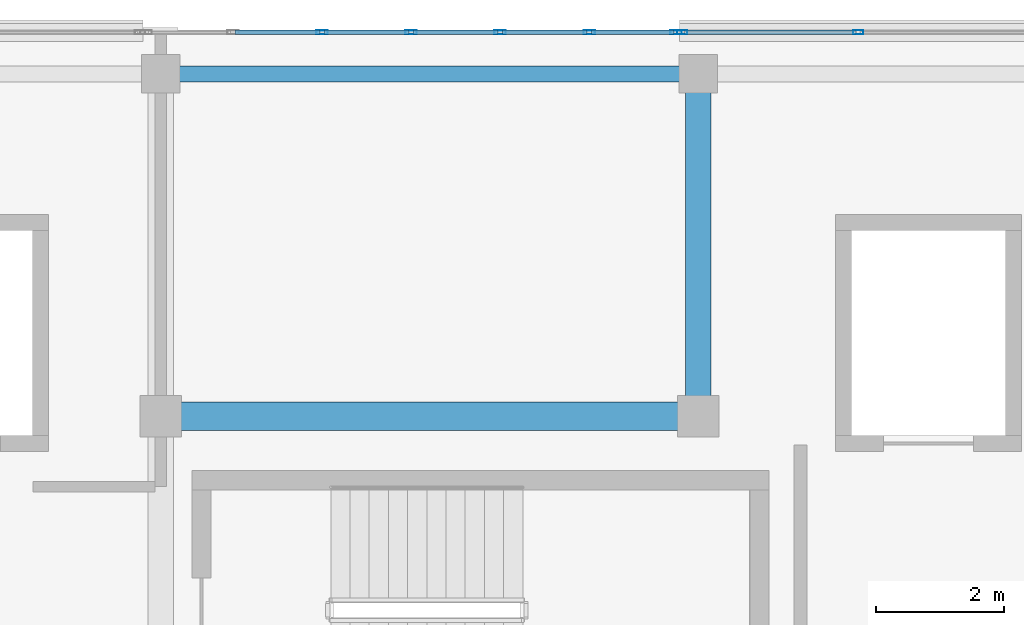
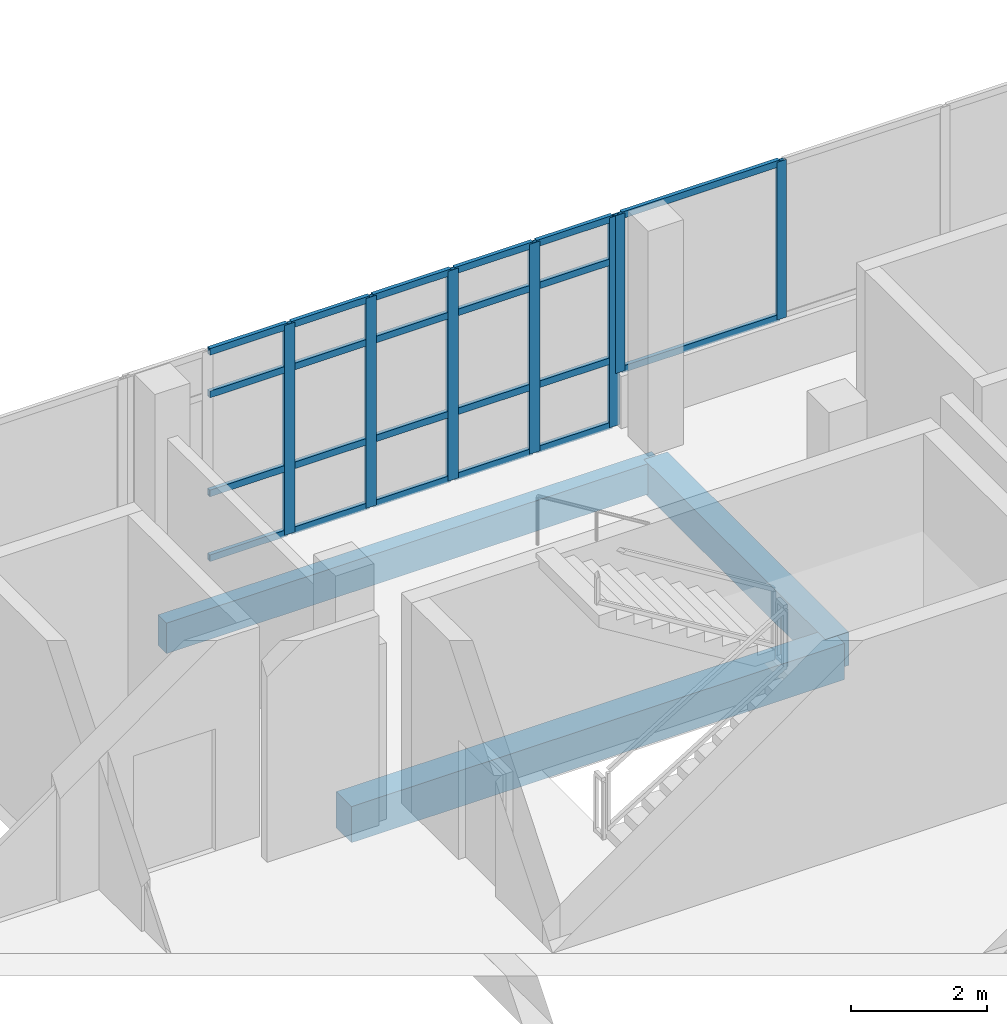
# One storey, part 43 of 76: 29 members, 3 beams, 2 elements without a shape of their own.
"""IFC4 building model written with IfcOpenShell, lengths in metres."""

import ifcopenshell
import ifcopenshell.guid

model = None  # the IFC model being written
_history = None  # IfcOwnerHistory: only IFC2X3 demands one
_inside = {}  # id of a spatial element -> (the spatial element, [elements in it])
_under = {}  # id of a project, library or spatial element -> (it, [spatial elements below it])
_declared = {}  # id of a project -> (the project, [libraries it declares])
_typed = {}  # id of a type object -> (the type object, [elements of that type])
_made_of = {}  # id of a material, layer set ... -> (it, [elements and type objects made of it])


def new_model(schema):
    """Start an empty IFC model of exactly this schema.

    Asked for "IFC4X3", IfcOpenShell would pick the latest addendum, in which some entities
    have other attributes; the version numbers below select the first issue.
    IFC2X3 requires an IfcOwnerHistory on every rooted entity: one is made here for all.
    """
    global model, _history
    if schema == "IFC4X3":
        model = ifcopenshell.file(schema_version=(4, 3, 0, 0))
    else:
        model = ifcopenshell.file(schema=schema)
    _inside.clear()
    _under.clear()
    _declared.clear()
    _typed.clear()
    _made_of.clear()
    _history = None
    if model.schema == "IFC2X3":
        org = make("IfcOrganization", Name="unknown")
        user = make(
            "IfcPersonAndOrganization",
            ThePerson=make("IfcPerson", FamilyName="unknown"),
            TheOrganization=org,
        )
        app = make(
            "IfcApplication",
            ApplicationDeveloper=org,
            Version="unknown",
            ApplicationFullName="unknown",
            ApplicationIdentifier="unknown",
        )
        _history = make(
            "IfcOwnerHistory",
            OwningUser=user,
            OwningApplication=app,
            ChangeAction="ADDED",
            CreationDate=0,
        )
    return model


def make(cls, **values):
    """One entity of the class cls with the attributes given. An attribute that is None is left unset."""
    return model.create_entity(
        cls, **{name: value for name, value in values.items() if value is not None}
    )


def rooted(cls, **values):
    """An entity with a GlobalId (a new one), such as an element, a storey or a relation."""
    return make(cls, GlobalId=ifcopenshell.guid.new(), OwnerHistory=_history, **values)


def si_unit(unit_type, name, prefix=None):
    """IfcSIUnit, for example si_unit("LENGTHUNIT", "METRE", prefix="MILLI")."""
    return make("IfcSIUnit", UnitType=unit_type, Prefix=prefix, Name=name)


def assignment(units):
    """IfcUnitAssignment: the units of a project."""
    return None if units is None else make("IfcUnitAssignment", Units=units)


def point(xyz):
    """IfcCartesianPoint."""
    return None if xyz is None else make("IfcCartesianPoint", Coordinates=xyz)


def direction(xyz):
    """IfcDirection."""
    return None if xyz is None else make("IfcDirection", DirectionRatios=xyz)


def frame(location, z_axis=None, x_axis=None):
    """IfcAxis2Placement3D, a coordinate frame: its origin and axes. An axis left out is left unset."""
    return make(
        "IfcAxis2Placement3D",
        Location=point(location),
        Axis=direction(z_axis),
        RefDirection=direction(x_axis),
    )


def frame_2d(location, x_axis=None):
    """IfcAxis2Placement2D, a coordinate frame in the plane: its origin and x axis."""
    return make(
        "IfcAxis2Placement2D", Location=point(location), RefDirection=direction(x_axis)
    )


def origin():
    """The frame at (0, 0, 0) with its axes left unset."""
    return frame((0.0, 0.0, 0.0))


def origin_2d():
    """The frame at (0, 0) in the plane with its x axis left unset."""
    return frame_2d((0.0, 0.0))


def place(relative_to, where):
    """IfcLocalPlacement: puts the frame where relative to a parent placement (None: the world)."""
    return make(
        "IfcLocalPlacement", PlacementRelTo=relative_to, RelativePlacement=where
    )


def context(
    kind, dimensions, precision=None, world=None, true_north=None, identifier=None
):
    """IfcGeometricRepresentationContext, for example the 3D "Model" context."""
    return make(
        "IfcGeometricRepresentationContext",
        ContextIdentifier=identifier,
        ContextType=kind,
        CoordinateSpaceDimension=dimensions,
        Precision=precision,
        WorldCoordinateSystem=world,
        TrueNorth=true_north,
    )


def subcontext(parent, identifier, kind, view, scale=None):
    """IfcGeometricRepresentationSubContext, for example "Body" below "Model"."""
    return make(
        "IfcGeometricRepresentationSubContext",
        ContextIdentifier=identifier,
        ContextType=kind,
        ParentContext=parent,
        TargetScale=scale,
        TargetView=view,
    )


def project(units=None, contexts=None):
    """IfcProject with its units and contexts."""
    return rooted(
        "IfcProject",
        Name="project",
        RepresentationContexts=contexts,
        UnitsInContext=assignment(units),
    )


def spatial(cls, under=None, at=None, **own):
    """A site, building, storey or space (cls), placed at a placement, below another one or the project."""
    s = rooted(cls, ObjectPlacement=at, **own)
    if under is not None:
        _under.setdefault(under.id(), (under, []))[1].append(s)
    return s


def profile(cls, at=None, kind="AREA", **sizes):
    """A parametric profile (cls). Its sizes go by their IFC names, for example OverallWidth=200.0."""
    return make(cls, ProfileType=kind, Position=at, **sizes)


def rectangle(**sizes):
    """IfcRectangleProfileDef."""
    return profile("IfcRectangleProfileDef", **sizes)


def hollow_rectangle(**sizes):
    """IfcRectangleHollowProfileDef."""
    return profile("IfcRectangleHollowProfileDef", **sizes)


def extrude(swept, where, along, depth):
    """IfcExtrudedAreaSolid: the profile swept, set in the frame where, extruded along a direction by depth."""
    return make(
        "IfcExtrudedAreaSolid",
        SweptArea=swept,
        Position=where,
        ExtrudedDirection=direction(along),
        Depth=depth,
    )


def shape(context_of_items, identifier, shape_type, items):
    """IfcShapeRepresentation: the items that make up one representation, for example the "Body"."""
    return make(
        "IfcShapeRepresentation",
        ContextOfItems=context_of_items,
        RepresentationIdentifier=identifier,
        RepresentationType=shape_type,
        Items=items,
    )


def material(Name=None, Category=None):
    """IfcMaterial."""
    return make("IfcMaterial", Name=Name, Category=Category)


def material_profile(
    of_material, cross_section, Name=None, Category=None, Priority=None
):
    """IfcMaterialProfile: a cross section and its material."""
    return make(
        "IfcMaterialProfile",
        Name=Name,
        Material=of_material,
        Profile=cross_section,
        Priority=Priority,
        Category=Category,
    )


def profile_set(profiles, Name=None, composite=None):
    """IfcMaterialProfileSet."""
    return make(
        "IfcMaterialProfileSet",
        Name=Name,
        MaterialProfiles=profiles,
        CompositeProfile=composite,
    )


def made_of(thing, what):
    """Note that an element or type object is made of a material, layer set ...; save() writes the relation."""
    if what is not None:
        _made_of.setdefault(what.id(), (what, []))[1].append(thing)
    return thing


def type_object(cls, material=None, **own):
    """A type object (cls), such as IfcWallType, which elements share."""
    return made_of(rooted(cls, **own), material)


def element(
    cls,
    number,
    at=None,
    inside=None,
    cuts=None,
    type_object=None,
    material=None,
    context=None,
    identifier="Body",
    shape_type=None,
    held_by="IfcProductDefinitionShape",
    body=None,
    shapes=None,
    **own,
):
    """One element of the class cls, such as IfcWall. Its Tag is "e" and its number.

    at: its placement. inside: the storey or other place that contains it. cuts: it is an
    opening in that element (IfcRelVoidsElement). A single representation is given by context,
    identifier, shape_type and body (its items); several are given by shapes. held_by: the class
    of the entity that holds the representations. save() writes the other relations.
    """
    e = rooted(cls, Tag="e%d" % number, ObjectPlacement=at, **own)
    if body is not None:
        shapes = [shape(context, identifier, shape_type, body)]
    if shapes is not None:
        e.Representation = make(held_by, Representations=shapes)
    if inside is not None:
        _inside.setdefault(inside.id(), (inside, []))[1].append(e)
    if cuts is not None:
        rooted(
            "IfcRelVoidsElement", RelatingBuildingElement=cuts, RelatedOpeningElement=e
        )
    if type_object is not None:
        _typed.setdefault(type_object.id(), (type_object, []))[1].append(e)
    return made_of(e, material)


def aggregate(whole, parts):
    """IfcRelAggregates: a whole, such as a stair, and the parts it consists of."""
    return rooted("IfcRelAggregates", RelatingObject=whole, RelatedObjects=parts)


def save(model, path):
    """Write the relations noted so far, then the file.

    IfcRelAggregates (storeys below a building ...), IfcRelContainedInSpatialStructure (elements
    in a storey), IfcRelDefinesByType, IfcRelAssociatesMaterial and IfcRelDeclares: one each for
    every whole, place, type object, material and project.
    """
    for whole, parts in _under.values():
        aggregate(whole, parts)
    for where, things in _inside.values():
        rooted(
            "IfcRelContainedInSpatialStructure",
            RelatedElements=things,
            RelatingStructure=where,
        )
    for kind, things in _typed.values():
        rooted("IfcRelDefinesByType", RelatedObjects=things, RelatingType=kind)
    for what, things in _made_of.values():
        rooted("IfcRelAssociatesMaterial", RelatedObjects=things, RelatingMaterial=what)
    for by, libraries in _declared.values():
        rooted("IfcRelDeclares", RelatingContext=by, RelatedDefinitions=libraries)
    model.write(path)


model = new_model("IFC4")

# Units and contexts
model_context = context("Model", 3, precision=1e-05, world=origin(), true_north=direction((0.0, 1.0)))
body_context = subcontext(model_context, "Body", "Model", "MODEL_VIEW")
ifc_project = project(units=[si_unit("LENGTHUNIT", "METRE"), si_unit("AREAUNIT", "SQUARE_METRE"), si_unit("VOLUMEUNIT", "CUBIC_METRE"), si_unit("PLANEANGLEUNIT", "RADIAN"), si_unit("MASSUNIT", "GRAM", prefix="KILO")], contexts=[model_context])

# Site, building, storey
site_placement = place(None, origin())
site = spatial("IfcSite", under=ifc_project, at=site_placement, CompositionType="ELEMENT")
building_placement = place(site_placement, origin())
building = spatial("IfcBuilding", under=site, at=building_placement, Name="Selatvlak General Hospital", CompositionType="ELEMENT")
storey_placement = place(building_placement, frame((0.0, 0.0, 27.300048828125)))
storey = spatial("IfcBuildingStorey", under=building, at=storey_placement, Name="L06", CompositionType="ELEMENT", Elevation=27.300048828125)

# Beams
ifc_material_1 = material(Name="Concrete C40/50", Category="concrete")
ifc_material_profile_1 = material_profile(ifc_material_1, rectangle(XDim=0.449951171875, YDim=0.64990234375, at=origin_2d()), Name="RC-BM 450x650")
ifc_profile_set_1 = profile_set([ifc_material_profile_1], Name="Concrete C40/50")
beam_type_1 = type_object("IfcBeamType", Name="BM-G04", PredefinedType="BEAM", material=ifc_profile_set_1)
beam_1_placement = place(storey_placement, frame((132.0, 114.0, -0.60009765625), z_axis=(1.0, 0.0, 0.0), x_axis=(0.0, 1.0, 0.0)))
element("IfcBeam", 1, at=beam_1_placement, inside=storey, type_object=beam_type_1, Name="Beam BMR-L06-2225", PredefinedType="BEAM", context=body_context, shape_type="SweptSolid", body=[
    extrude(rectangle(XDim=0.449951171875, YDim=0.64990234375, at=origin_2d()), origin(), (0.0, 0.0, 1.0), 8.39990234375),
])
ifc_material_profile_2 = material_profile(ifc_material_1, rectangle(XDim=0.39990234375, YDim=0.60009765625, at=origin_2d()), Name="RC-BM 400x600")
ifc_profile_set_2 = profile_set([ifc_material_profile_2], Name="Concrete C40/50")
beam_type_2 = type_object("IfcBeamType", Name="BM-G05", PredefinedType="BEAM", material=ifc_profile_set_2)
beam_2_placement = place(storey_placement, frame((140.39990234375, 114.0, -0.574951171875), z_axis=(0.0, 1.0, 0.0), x_axis=(-1.0, 0.0, 0.0)))
element("IfcBeam", 2, at=beam_2_placement, inside=storey, type_object=beam_type_2, Name="Beam BMR-L06-2312", PredefinedType="BEAM", context=body_context, shape_type="SweptSolid", body=[
    extrude(rectangle(XDim=0.39990234375, YDim=0.60009765625, at=origin_2d()), origin(), (0.0, 0.0, 1.0), 5.35009765625),
])
ifc_material_profile_3 = material_profile(ifc_material_1, rectangle(XDim=0.25, YDim=0.550048828125, at=origin_2d()), Name="RC-SP 250x550")
ifc_profile_set_3 = profile_set([ifc_material_profile_3], Name="Concrete C40/50")
beam_type_3 = type_object("IfcBeamType", Name="BM-SP2", PredefinedType="SPANDREL", material=ifc_profile_set_3)
beam_3_placement = place(storey_placement, frame((132.0, 119.35009765625, -0.550048828125), z_axis=(1.0, 0.0, 0.0), x_axis=(0.0, 1.0, 0.0)))
element("IfcBeam", 3, at=beam_3_placement, inside=storey, type_object=beam_type_3, Name="Beam BMR-L06-2239", PredefinedType="SPANDREL", context=body_context, shape_type="SweptSolid", body=[
    extrude(rectangle(XDim=0.25, YDim=0.550048828125, at=origin_2d()), origin(), (0.0, 0.0, 1.0), 8.39990234375),
])

# Curtain wall, members
ifc_material_2 = material(Name="Solar-control Low-E double glazing", Category="glass")
curtain_wall_type_1 = type_object("IfcCurtainWallType", Name="CW-CW-02", PredefinedType="USERDEFINED", material=ifc_material_2)
curtain_wall_1_placement = place(storey_placement, origin())
curtain_wall_1 = element("IfcCurtainWall", 4, at=curtain_wall_1_placement, inside=storey, type_object=curtain_wall_type_1, Name="Glazed facade curtain wall CW-L06-0612", ObjectType="UNITISED CURTAIN WALL", PredefinedType="USERDEFINED")
ifc_material_3 = material(Name="Dark anodised aluminium mullion", Category="aluminium")
ifc_material_profile_4 = material_profile(ifc_material_3, hollow_rectangle(XDim=0.06494140625, YDim=0.159912109375, WallThickness=0.00390625, at=origin_2d()), Name="AL-MUL 65x160x4")
ifc_profile_set_4 = profile_set([ifc_material_profile_4], Name="Dark anodised aluminium mullion")
member_type_1 = type_object("IfcMemberType", Name="CWM-01", PredefinedType="MULLION", material=ifc_profile_set_4)
member_1_placement = place(storey_placement, frame((140.152587890625, 120.0, 0.93994140625), z_axis=(0.0, 0.0, 1.0), x_axis=(0.0, 1.0, 0.0)))
member_1 = element("IfcMember", 5, at=member_1_placement, type_object=member_type_1, Name="CW-02 mullion 1", PredefinedType="MULLION", context=body_context, shape_type="SweptSolid", body=[
    extrude(hollow_rectangle(XDim=0.06494140625, YDim=0.159912109375, WallThickness=0.00390625, at=origin_2d()), origin(), (0.0, 0.0, 1.0), 2.840087890625),
])
member_2_placement = place(storey_placement, frame((142.902587890625, 120.0, 0.93994140625), z_axis=(0.0, 0.0, 1.0), x_axis=(0.0, 1.0, 0.0)))
member_2 = element("IfcMember", 6, at=member_2_placement, type_object=member_type_1, Name="CW-02 mullion 2", PredefinedType="MULLION", context=body_context, shape_type="SweptSolid", body=[
    extrude(hollow_rectangle(XDim=0.06494140625, YDim=0.159912109375, WallThickness=0.00390625, at=origin_2d()), origin(), (0.0, 0.0, 1.0), 2.840087890625),
])

curtain_wall_type_2 = type_object("IfcCurtainWallType", Name="CW-CW-04", PredefinedType="USERDEFINED", material=ifc_material_2)
curtain_wall_2_placement = place(storey_placement, origin())
curtain_wall_2 = element("IfcCurtainWall", 7, at=curtain_wall_2_placement, inside=storey, type_object=curtain_wall_type_2, Name="Glazed facade curtain wall CW-L06-0611", ObjectType="STICK GLAZING WALL", PredefinedType="USERDEFINED")
ifc_material_profile_5 = material_profile(ifc_material_3, hollow_rectangle(XDim=0.06494140625, YDim=0.179931640625, WallThickness=0.00439453125, at=origin_2d()), Name="AL-MUL 65x180x4.5")
ifc_profile_set_5 = profile_set([ifc_material_profile_5], Name="Dark anodised aluminium mullion")
member_type_2 = type_object("IfcMemberType", Name="CWM-02", PredefinedType="MULLION", material=ifc_profile_set_5)
member_3_placement = place(storey_placement, frame((134.52392578125, 120.0, 0.0), z_axis=(0.0, 0.0, 1.0), x_axis=(0.0, 1.0, 0.0)))
member_3 = element("IfcMember", 8, at=member_3_placement, type_object=member_type_2, Name="CW-04 mullion 3", PredefinedType="MULLION", context=body_context, shape_type="SweptSolid", body=[
    extrude(hollow_rectangle(XDim=0.06494140625, YDim=0.179931640625, WallThickness=0.00439453125, at=origin_2d()), origin(), (0.0, 0.0, 1.0), 3.780029296875),
])
member_4_placement = place(storey_placement, frame((135.91552734375, 120.0, 0.0), z_axis=(0.0, 0.0, 1.0), x_axis=(0.0, 1.0, 0.0)))
member_4 = element("IfcMember", 9, at=member_4_placement, type_object=member_type_2, Name="CW-04 mullion 4", PredefinedType="MULLION", context=body_context, shape_type="SweptSolid", body=[
    extrude(hollow_rectangle(XDim=0.06494140625, YDim=0.179931640625, WallThickness=0.00439453125, at=origin_2d()), origin(), (0.0, 0.0, 1.0), 3.780029296875),
])
member_5_placement = place(storey_placement, frame((137.306884765625, 120.0, 0.0), z_axis=(0.0, 0.0, 1.0), x_axis=(0.0, 1.0, 0.0)))
member_5 = element("IfcMember", 10, at=member_5_placement, type_object=member_type_2, Name="CW-04 mullion 5", PredefinedType="MULLION", context=body_context, shape_type="SweptSolid", body=[
    extrude(hollow_rectangle(XDim=0.06494140625, YDim=0.179931640625, WallThickness=0.00439453125, at=origin_2d()), origin(), (0.0, 0.0, 1.0), 3.780029296875),
])
member_6_placement = place(storey_placement, frame((138.698486328125, 120.0, 0.0), z_axis=(0.0, 0.0, 1.0), x_axis=(0.0, 1.0, 0.0)))
member_6 = element("IfcMember", 11, at=member_6_placement, type_object=member_type_2, Name="CW-04 mullion 6", PredefinedType="MULLION", context=body_context, shape_type="SweptSolid", body=[
    extrude(hollow_rectangle(XDim=0.06494140625, YDim=0.179931640625, WallThickness=0.00439453125, at=origin_2d()), origin(), (0.0, 0.0, 1.0), 3.780029296875),
])
member_7_placement = place(storey_placement, frame((140.0576171875, 120.0, 0.0), z_axis=(0.0, 0.0, 1.0), x_axis=(0.0, 1.0, 0.0)))
member_7 = element("IfcMember", 12, at=member_7_placement, type_object=member_type_2, Name="CW-04 mullion 7", PredefinedType="MULLION", context=body_context, shape_type="SweptSolid", body=[
    extrude(hollow_rectangle(XDim=0.06494140625, YDim=0.179931640625, WallThickness=0.00439453125, at=origin_2d()), origin(), (0.0, 0.0, 1.0), 3.780029296875),
])
ifc_material_profile_6 = material_profile(ifc_material_3, hollow_rectangle(XDim=0.06494140625, YDim=0.1201171875, WallThickness=0.00390625, at=origin_2d()), Name="AL-TRN 65x120x4")
ifc_profile_set_6 = profile_set([ifc_material_profile_6], Name="Dark anodised aluminium mullion")
member_type_3 = type_object("IfcMemberType", Name="CWT-01", PredefinedType="USERDEFINED", material=ifc_profile_set_6)
member_8_placement = place(storey_placement, frame((133.1650390625, 120.0, 0.032470703125), z_axis=(1.0, 0.0, 0.0), x_axis=(0.0, 1.0, 0.0)))
member_8 = element("IfcMember", 13, at=member_8_placement, type_object=member_type_3, Name="CW-04 transom 2.1", ObjectType="TRANSOM", PredefinedType="USERDEFINED", context=body_context, shape_type="SweptSolid", body=[
    extrude(hollow_rectangle(XDim=0.06494140625, YDim=0.1201171875, WallThickness=0.00390625, at=origin_2d()), origin(), (0.0, 0.0, 1.0), 1.326416015625),
])
member_9_placement = place(storey_placement, frame((133.1650390625, 120.0, 1.199951171875), z_axis=(1.0, 0.0, 0.0), x_axis=(0.0, 1.0, 0.0)))
member_9 = element("IfcMember", 14, at=member_9_placement, type_object=member_type_3, Name="CW-04 transom 2.2", ObjectType="TRANSOM", PredefinedType="USERDEFINED", context=body_context, shape_type="SweptSolid", body=[
    extrude(hollow_rectangle(XDim=0.06494140625, YDim=0.1201171875, WallThickness=0.00390625, at=origin_2d()), origin(), (0.0, 0.0, 1.0), 1.326416015625),
])
member_10_placement = place(storey_placement, frame((133.1650390625, 120.0, 2.97998046875), z_axis=(1.0, 0.0, 0.0), x_axis=(0.0, 1.0, 0.0)))
member_10 = element("IfcMember", 15, at=member_10_placement, type_object=member_type_3, Name="CW-04 transom 2.3", ObjectType="TRANSOM", PredefinedType="USERDEFINED", context=body_context, shape_type="SweptSolid", body=[
    extrude(hollow_rectangle(XDim=0.06494140625, YDim=0.1201171875, WallThickness=0.00390625, at=origin_2d()), origin(), (0.0, 0.0, 1.0), 1.326416015625),
])
member_11_placement = place(storey_placement, frame((133.1650390625, 120.0, 3.74755859375), z_axis=(1.0, 0.0, 0.0), x_axis=(0.0, 1.0, 0.0)))
member_11 = element("IfcMember", 16, at=member_11_placement, type_object=member_type_3, Name="CW-04 transom 2.4", ObjectType="TRANSOM", PredefinedType="USERDEFINED", context=body_context, shape_type="SweptSolid", body=[
    extrude(hollow_rectangle(XDim=0.06494140625, YDim=0.1201171875, WallThickness=0.00390625, at=origin_2d()), origin(), (0.0, 0.0, 1.0), 1.326416015625),
])
member_12_placement = place(storey_placement, frame((134.556396484375, 120.0, 0.032470703125), z_axis=(1.0, 0.0, 0.0), x_axis=(0.0, 1.0, 0.0)))
member_12 = element("IfcMember", 17, at=member_12_placement, type_object=member_type_3, Name="CW-04 transom 3.1", ObjectType="TRANSOM", PredefinedType="USERDEFINED", context=body_context, shape_type="SweptSolid", body=[
    extrude(hollow_rectangle(XDim=0.06494140625, YDim=0.1201171875, WallThickness=0.00390625, at=origin_2d()), origin(), (0.0, 0.0, 1.0), 1.32666015625),
])
member_13_placement = place(storey_placement, frame((134.556396484375, 120.0, 1.199951171875), z_axis=(1.0, 0.0, 0.0), x_axis=(0.0, 1.0, 0.0)))
member_13 = element("IfcMember", 18, at=member_13_placement, type_object=member_type_3, Name="CW-04 transom 3.2", ObjectType="TRANSOM", PredefinedType="USERDEFINED", context=body_context, shape_type="SweptSolid", body=[
    extrude(hollow_rectangle(XDim=0.06494140625, YDim=0.1201171875, WallThickness=0.00390625, at=origin_2d()), origin(), (0.0, 0.0, 1.0), 1.32666015625),
])
member_14_placement = place(storey_placement, frame((134.556396484375, 120.0, 2.97998046875), z_axis=(1.0, 0.0, 0.0), x_axis=(0.0, 1.0, 0.0)))
member_14 = element("IfcMember", 19, at=member_14_placement, type_object=member_type_3, Name="CW-04 transom 3.3", ObjectType="TRANSOM", PredefinedType="USERDEFINED", context=body_context, shape_type="SweptSolid", body=[
    extrude(hollow_rectangle(XDim=0.06494140625, YDim=0.1201171875, WallThickness=0.00390625, at=origin_2d()), origin(), (0.0, 0.0, 1.0), 1.32666015625),
])
member_15_placement = place(storey_placement, frame((134.556396484375, 120.0, 3.74755859375), z_axis=(1.0, 0.0, 0.0), x_axis=(0.0, 1.0, 0.0)))
member_15 = element("IfcMember", 20, at=member_15_placement, type_object=member_type_3, Name="CW-04 transom 3.4", ObjectType="TRANSOM", PredefinedType="USERDEFINED", context=body_context, shape_type="SweptSolid", body=[
    extrude(hollow_rectangle(XDim=0.06494140625, YDim=0.1201171875, WallThickness=0.00390625, at=origin_2d()), origin(), (0.0, 0.0, 1.0), 1.32666015625),
])
member_16_placement = place(storey_placement, frame((135.947998046875, 120.0, 0.032470703125), z_axis=(1.0, 0.0, 0.0), x_axis=(0.0, 1.0, 0.0)))
member_16 = element("IfcMember", 21, at=member_16_placement, type_object=member_type_3, Name="CW-04 transom 4.1", ObjectType="TRANSOM", PredefinedType="USERDEFINED", context=body_context, shape_type="SweptSolid", body=[
    extrude(hollow_rectangle(XDim=0.06494140625, YDim=0.1201171875, WallThickness=0.00390625, at=origin_2d()), origin(), (0.0, 0.0, 1.0), 1.326416015625),
])
member_17_placement = place(storey_placement, frame((135.947998046875, 120.0, 1.199951171875), z_axis=(1.0, 0.0, 0.0), x_axis=(0.0, 1.0, 0.0)))
member_17 = element("IfcMember", 22, at=member_17_placement, type_object=member_type_3, Name="CW-04 transom 4.2", ObjectType="TRANSOM", PredefinedType="USERDEFINED", context=body_context, shape_type="SweptSolid", body=[
    extrude(hollow_rectangle(XDim=0.06494140625, YDim=0.1201171875, WallThickness=0.00390625, at=origin_2d()), origin(), (0.0, 0.0, 1.0), 1.326416015625),
])
member_18_placement = place(storey_placement, frame((135.947998046875, 120.0, 2.97998046875), z_axis=(1.0, 0.0, 0.0), x_axis=(0.0, 1.0, 0.0)))
member_18 = element("IfcMember", 23, at=member_18_placement, type_object=member_type_3, Name="CW-04 transom 4.3", ObjectType="TRANSOM", PredefinedType="USERDEFINED", context=body_context, shape_type="SweptSolid", body=[
    extrude(hollow_rectangle(XDim=0.06494140625, YDim=0.1201171875, WallThickness=0.00390625, at=origin_2d()), origin(), (0.0, 0.0, 1.0), 1.326416015625),
])
member_19_placement = place(storey_placement, frame((135.947998046875, 120.0, 3.74755859375), z_axis=(1.0, 0.0, 0.0), x_axis=(0.0, 1.0, 0.0)))
member_19 = element("IfcMember", 24, at=member_19_placement, type_object=member_type_3, Name="CW-04 transom 4.4", ObjectType="TRANSOM", PredefinedType="USERDEFINED", context=body_context, shape_type="SweptSolid", body=[
    extrude(hollow_rectangle(XDim=0.06494140625, YDim=0.1201171875, WallThickness=0.00390625, at=origin_2d()), origin(), (0.0, 0.0, 1.0), 1.326416015625),
])
member_20_placement = place(storey_placement, frame((137.339599609375, 120.0, 0.032470703125), z_axis=(1.0, 0.0, 0.0), x_axis=(0.0, 1.0, 0.0)))
member_20 = element("IfcMember", 25, at=member_20_placement, type_object=member_type_3, Name="CW-04 transom 5.1", ObjectType="TRANSOM", PredefinedType="USERDEFINED", context=body_context, shape_type="SweptSolid", body=[
    extrude(hollow_rectangle(XDim=0.06494140625, YDim=0.1201171875, WallThickness=0.00390625, at=origin_2d()), origin(), (0.0, 0.0, 1.0), 1.326416015625),
])
member_21_placement = place(storey_placement, frame((137.339599609375, 120.0, 1.199951171875), z_axis=(1.0, 0.0, 0.0), x_axis=(0.0, 1.0, 0.0)))
member_21 = element("IfcMember", 26, at=member_21_placement, type_object=member_type_3, Name="CW-04 transom 5.2", ObjectType="TRANSOM", PredefinedType="USERDEFINED", context=body_context, shape_type="SweptSolid", body=[
    extrude(hollow_rectangle(XDim=0.06494140625, YDim=0.1201171875, WallThickness=0.00390625, at=origin_2d()), origin(), (0.0, 0.0, 1.0), 1.326416015625),
])
member_22_placement = place(storey_placement, frame((137.339599609375, 120.0, 2.97998046875), z_axis=(1.0, 0.0, 0.0), x_axis=(0.0, 1.0, 0.0)))
member_22 = element("IfcMember", 27, at=member_22_placement, type_object=member_type_3, Name="CW-04 transom 5.3", ObjectType="TRANSOM", PredefinedType="USERDEFINED", context=body_context, shape_type="SweptSolid", body=[
    extrude(hollow_rectangle(XDim=0.06494140625, YDim=0.1201171875, WallThickness=0.00390625, at=origin_2d()), origin(), (0.0, 0.0, 1.0), 1.326416015625),
])
member_23_placement = place(storey_placement, frame((137.339599609375, 120.0, 3.74755859375), z_axis=(1.0, 0.0, 0.0), x_axis=(0.0, 1.0, 0.0)))
member_23 = element("IfcMember", 28, at=member_23_placement, type_object=member_type_3, Name="CW-04 transom 5.4", ObjectType="TRANSOM", PredefinedType="USERDEFINED", context=body_context, shape_type="SweptSolid", body=[
    extrude(hollow_rectangle(XDim=0.06494140625, YDim=0.1201171875, WallThickness=0.00390625, at=origin_2d()), origin(), (0.0, 0.0, 1.0), 1.326416015625),
])
member_24_placement = place(storey_placement, frame((138.73095703125, 120.0, 0.032470703125), z_axis=(1.0, 0.0, 0.0), x_axis=(0.0, 1.0, 0.0)))
member_24 = element("IfcMember", 29, at=member_24_placement, type_object=member_type_3, Name="CW-04 transom 6.1", ObjectType="TRANSOM", PredefinedType="USERDEFINED", context=body_context, shape_type="SweptSolid", body=[
    extrude(hollow_rectangle(XDim=0.06494140625, YDim=0.1201171875, WallThickness=0.00390625, at=origin_2d()), origin(), (0.0, 0.0, 1.0), 1.2939453125),
])
member_25_placement = place(storey_placement, frame((138.73095703125, 120.0, 1.199951171875), z_axis=(1.0, 0.0, 0.0), x_axis=(0.0, 1.0, 0.0)))
member_25 = element("IfcMember", 30, at=member_25_placement, type_object=member_type_3, Name="CW-04 transom 6.2", ObjectType="TRANSOM", PredefinedType="USERDEFINED", context=body_context, shape_type="SweptSolid", body=[
    extrude(hollow_rectangle(XDim=0.06494140625, YDim=0.1201171875, WallThickness=0.00390625, at=origin_2d()), origin(), (0.0, 0.0, 1.0), 1.2939453125),
])
member_26_placement = place(storey_placement, frame((138.73095703125, 120.0, 2.97998046875), z_axis=(1.0, 0.0, 0.0), x_axis=(0.0, 1.0, 0.0)))
member_26 = element("IfcMember", 31, at=member_26_placement, type_object=member_type_3, Name="CW-04 transom 6.3", ObjectType="TRANSOM", PredefinedType="USERDEFINED", context=body_context, shape_type="SweptSolid", body=[
    extrude(hollow_rectangle(XDim=0.06494140625, YDim=0.1201171875, WallThickness=0.00390625, at=origin_2d()), origin(), (0.0, 0.0, 1.0), 1.2939453125),
])
member_27_placement = place(storey_placement, frame((138.73095703125, 120.0, 3.74755859375), z_axis=(1.0, 0.0, 0.0), x_axis=(0.0, 1.0, 0.0)))
member_27 = element("IfcMember", 32, at=member_27_placement, type_object=member_type_3, Name="CW-04 transom 6.4", ObjectType="TRANSOM", PredefinedType="USERDEFINED", context=body_context, shape_type="SweptSolid", body=[
    extrude(hollow_rectangle(XDim=0.06494140625, YDim=0.1201171875, WallThickness=0.00390625, at=origin_2d()), origin(), (0.0, 0.0, 1.0), 1.2939453125),
])
aggregate(curtain_wall_2, [member_3, member_4, member_5, member_6, member_7, member_8, member_9, member_10, member_11, member_12, member_13, member_14, member_15, member_16, member_17, member_18, member_19, member_20, member_21, member_22, member_23, member_24, member_25, member_26, member_27])

# Member
member_28_placement = place(storey_placement, frame((140.18505859375, 120.0, 0.972412109375), z_axis=(1.0, 0.0, 0.0), x_axis=(0.0, 1.0, 0.0)))
member_28 = element("IfcMember", 33, at=member_28_placement, type_object=member_type_3, Name="CW-02 transom 1.1", ObjectType="TRANSOM", PredefinedType="USERDEFINED", context=body_context, shape_type="SweptSolid", body=[
    extrude(hollow_rectangle(XDim=0.06494140625, YDim=0.1201171875, WallThickness=0.00390625, at=origin_2d()), origin(), (0.0, 0.0, 1.0), 2.68505859375),
])

member_29_placement = place(storey_placement, frame((140.18505859375, 120.0, 3.74755859375), z_axis=(1.0, 0.0, 0.0), x_axis=(0.0, 1.0, 0.0)))
member_29 = element("IfcMember", 34, at=member_29_placement, type_object=member_type_3, Name="CW-02 transom 1.2", ObjectType="TRANSOM", PredefinedType="USERDEFINED", context=body_context, shape_type="SweptSolid", body=[
    extrude(hollow_rectangle(XDim=0.06494140625, YDim=0.1201171875, WallThickness=0.00390625, at=origin_2d()), origin(), (0.0, 0.0, 1.0), 2.68505859375),
])

aggregate(curtain_wall_1, [member_1, member_2, member_28, member_29])

save(model, "model.ifc")
